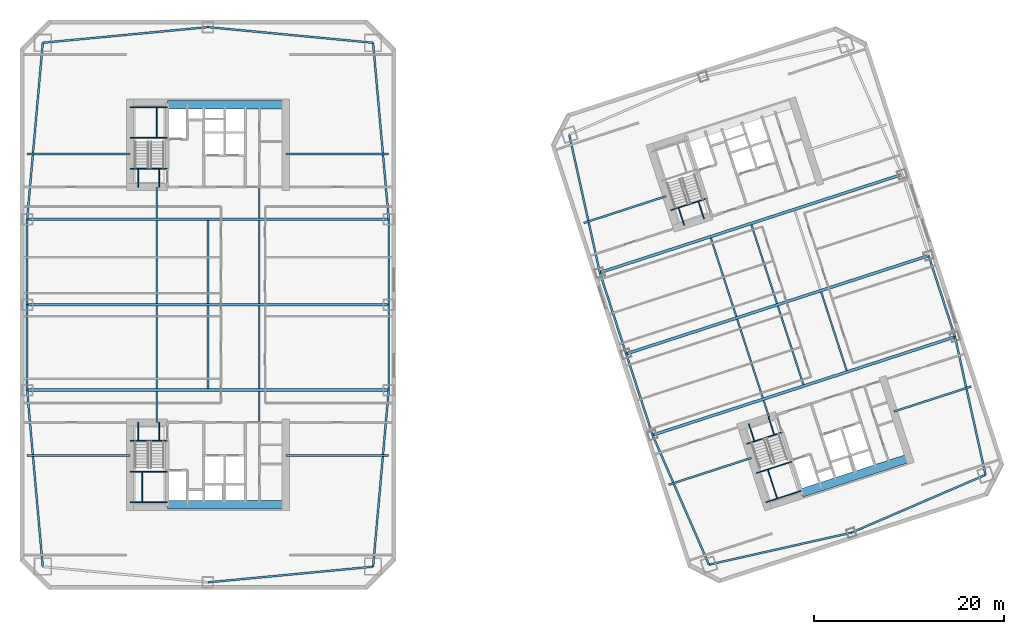
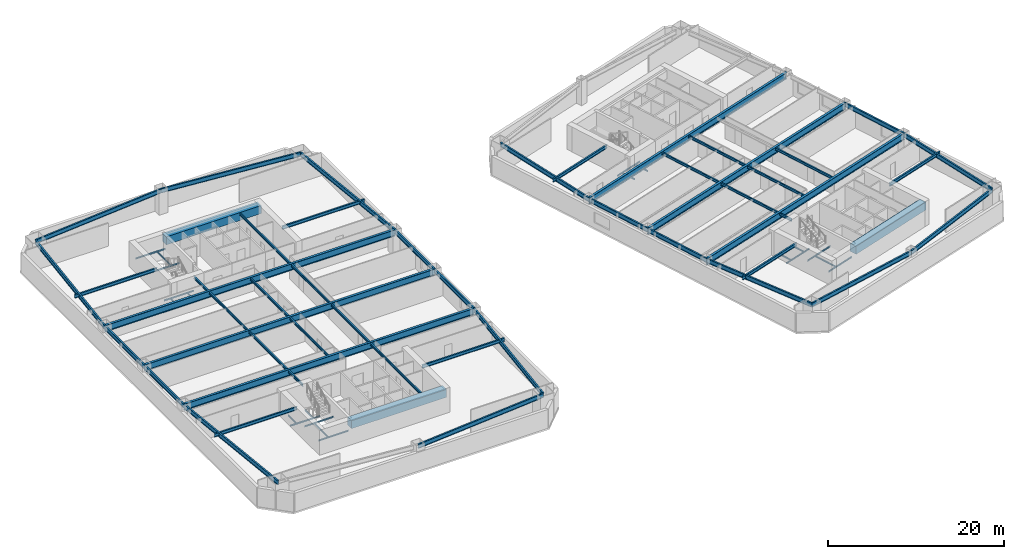
# One storey, part 3 of 13: 72 beams.
"""IFC4 building model written with IfcOpenShell, lengths in metres."""

from ifc_helpers import new_model, si_unit, direction, frame, origin, origin_2d, place, context, subcontext, project, spatial, rectangle, i_section, extrude, material, material_profile, profile_set, type_object, element, save


model = new_model("IFC4")

# Units and contexts
model_context = context("Model", 3, precision=1e-05, world=origin(), true_north=direction((0.0, 1.0)))
body_context = subcontext(model_context, "Body", "Model", "MODEL_VIEW")
ifc_project = project(units=[si_unit("LENGTHUNIT", "METRE"), si_unit("AREAUNIT", "SQUARE_METRE"), si_unit("VOLUMEUNIT", "CUBIC_METRE"), si_unit("PLANEANGLEUNIT", "RADIAN"), si_unit("MASSUNIT", "GRAM", prefix="KILO")], contexts=[model_context])

# Site, building, storey
site_placement = place(None, origin())
site = spatial("IfcSite", under=ifc_project, at=site_placement, CompositionType="ELEMENT")
building_placement = place(site_placement, origin())
building = spatial("IfcBuilding", under=site, at=building_placement, Name="Qiaolan Cultural Towers", CompositionType="ELEMENT")
storey_placement = place(building_placement, frame((0.0, 0.0, 85.10009765625)))
storey = spatial("IfcBuildingStorey", under=building, at=storey_placement, Name="L21", CompositionType="ELEMENT", Elevation=85.10009765625)

# Beams
ifc_material_1 = material(Name="Steel Q355B", Category="steel")
ifc_material_profile_1 = material_profile(ifc_material_1, i_section(OverallWidth=0.300048828125, OverallDepth=0.89990234375, WebThickness=0.01611328125, FlangeThickness=0.028076171875, at=origin_2d()), Name="HN900x300x16x28")
ifc_profile_set_1 = profile_set([ifc_material_profile_1], Name="Steel Q355B")
beam_type_1 = type_object("IfcBeamType", Name="BM-HN900x300x16x28", PredefinedType="BEAM", material=ifc_profile_set_1)
for number, where, z_axis, x_axis, name in (
    (1, (10.949951171875, 25.0, 2.739990234375), (1.0, 0.0, 0.0), (0.0, 1.0, 0.0), "L21 T1 Primary Transverse Girder V1"),
    (2, (10.949951171875, 34.0, 2.739990234375), (1.0, 0.0, 0.0), (0.0, 1.0, 0.0), "L21 T1 Primary Transverse Girder V2"),
    (3, (10.949951171875, 43.0, 2.739990234375), (1.0, 0.0, 0.0), (0.0, 1.0, 0.0), "L21 T1 Primary Transverse Girder V3"),
):
    element("IfcBeam", number, at=place(storey_placement, frame(where, z_axis=z_axis, x_axis=x_axis)), inside=storey, type_object=beam_type_1, Name=name, PredefinedType="BEAM", context=body_context, shape_type="SweptSolid", body=[
        extrude(i_section(OverallWidth=0.300048828125, OverallDepth=0.89990234375, WebThickness=0.01611328125, FlangeThickness=0.028076171875, at=origin_2d()), origin(), (0.0, 0.0, 1.0), 38.10009765625),
    ])
for number, where, z_axis, x_axis, name in (
    (4, (76.85107421875, 20.264404296875, 2.739990234375), (0.951056559899, 0.309016860175, 0.0), (-0.309016860175, 0.951056559899, 0.0), "L21 T2 Primary Transverse Girder V1"),
    (5, (74.06982421875, 28.823974609375, 2.739990234375), (0.951056559899, 0.309016860175, 0.0), (-0.309016860175, 0.951056559899, 0.0), "L21 T2 Primary Transverse Girder V2"),
    (6, (71.28857421875, 37.383544921875, 2.739990234375), (0.951056559899, 0.309016860175, 0.0), (-0.309016860175, 0.951056559899, 0.0), "L21 T2 Primary Transverse Girder V3"),
):
    element("IfcBeam", number, at=place(storey_placement, frame(where, z_axis=z_axis, x_axis=x_axis)), inside=storey, type_object=beam_type_1, Name=name, PredefinedType="BEAM", context=body_context, shape_type="SweptSolid", body=[
        extrude(i_section(OverallWidth=0.300048828125, OverallDepth=0.89990234375, WebThickness=0.01611328125, FlangeThickness=0.028076171875, at=origin_2d()), origin(), (0.0, 0.0, 1.0), 33.5),
    ])
ifc_material_2 = material(Name="Steel Q355B", Category="steel")
ifc_material_profile_2 = material_profile(ifc_material_2, i_section(OverallWidth=0.175048828125, OverallDepth=0.35009765625, WebThickness=0.007080078125, FlangeThickness=0.010986328125, at=origin_2d()), Name="HN350x175x7x11")
ifc_profile_set_2 = profile_set([ifc_material_profile_2], Name="Steel Q355B")
beam_type_2 = type_object("IfcBeamType", Name="BM-JST-HN350x175x7x11", PredefinedType="JOIST", material=ifc_profile_set_2)
beam_1_placement = place(storey_placement, frame((24.60009765625, 21.60009765625, 3.014892578125), z_axis=(0.0, 1.0, 0.0), x_axis=(-1.0, 0.0, 0.0)))
element("IfcBeam", 7, at=beam_1_placement, inside=storey, type_object=beam_type_2, Name="L21 T1 Secondary Floor Joist U1-1", PredefinedType="JOIST", context=body_context, shape_type="SweptSolid", body=[
    extrude(i_section(OverallWidth=0.175048828125, OverallDepth=0.35009765625, WebThickness=0.007080078125, FlangeThickness=0.010986328125, at=origin_2d()), origin(), (0.0, 0.0, 1.0), 3.25),
])
for number, where, z_axis, x_axis, name in (
    (8, (24.60009765625, 25.14990234375, 3.014892578125), (0.0, 1.0, 0.0), (-1.0, 0.0, 0.0), "L21 T1 Secondary Floor Joist U1-2"),
    (9, (24.60009765625, 34.14990234375, 3.014892578125), (0.0, 1.0, 0.0), (-1.0, 0.0, 0.0), "L21 T1 Secondary Floor Joist U1-3"),
):
    element("IfcBeam", number, at=place(storey_placement, frame(where, z_axis=z_axis, x_axis=x_axis)), inside=storey, type_object=beam_type_2, Name=name, PredefinedType="JOIST", context=body_context, shape_type="SweptSolid", body=[
        extrude(i_section(OverallWidth=0.175048828125, OverallDepth=0.35009765625, WebThickness=0.007080078125, FlangeThickness=0.010986328125, at=origin_2d()), origin(), (0.0, 0.0, 1.0), 8.7001953125),
    ])
beam_2_placement = place(storey_placement, frame((24.60009765625, 43.14990234375, 3.014892578125), z_axis=(0.0, 1.0, 0.0), x_axis=(-1.0, 0.0, 0.0)))
element("IfcBeam", 10, at=beam_2_placement, inside=storey, type_object=beam_type_2, Name="L21 T1 Secondary Floor Joist U1-4", PredefinedType="JOIST", context=body_context, shape_type="SweptSolid", body=[
    extrude(i_section(OverallWidth=0.175048828125, OverallDepth=0.35009765625, WebThickness=0.007080078125, FlangeThickness=0.010986328125, at=origin_2d()), origin(), (0.0, 0.0, 1.0), 3.25),
])
for number, where, z_axis, x_axis, name in (
    (11, (30.0, 25.14990234375, 3.014892578125), (0.0, 1.0, 0.0), (-1.0, 0.0, 0.0), "L21 T1 Secondary Floor Joist U2-2"),
    (12, (30.0, 34.14990234375, 3.014892578125), (0.0, 1.0, 0.0), (-1.0, 0.0, 0.0), "L21 T1 Secondary Floor Joist U2-3"),
):
    element("IfcBeam", number, at=place(storey_placement, frame(where, z_axis=z_axis, x_axis=x_axis)), inside=storey, type_object=beam_type_2, Name=name, PredefinedType="JOIST", context=body_context, shape_type="SweptSolid", body=[
        extrude(i_section(OverallWidth=0.175048828125, OverallDepth=0.35009765625, WebThickness=0.007080078125, FlangeThickness=0.010986328125, at=origin_2d()), origin(), (0.0, 0.0, 1.0), 8.7001953125),
    ])
beam_3_placement = place(storey_placement, frame((35.39990234375, 13.39990234375, 3.014892578125), z_axis=(0.0, 1.0, 0.0), x_axis=(-1.0, 0.0, 0.0)))
element("IfcBeam", 13, at=beam_3_placement, inside=storey, type_object=beam_type_2, Name="L21 T1 Secondary Floor Joist U3-1", PredefinedType="JOIST", context=body_context, shape_type="SweptSolid", body=[
    extrude(i_section(OverallWidth=0.175048828125, OverallDepth=0.35009765625, WebThickness=0.007080078125, FlangeThickness=0.010986328125, at=origin_2d()), origin(), (0.0, 0.0, 1.0), 11.4501953125),
])
for number, where, z_axis, x_axis, name in (
    (14, (35.39990234375, 25.14990234375, 3.014892578125), (0.0, 1.0, 0.0), (-1.0, 0.0, 0.0), "L21 T1 Secondary Floor Joist U3-2"),
    (15, (35.39990234375, 34.14990234375, 3.014892578125), (0.0, 1.0, 0.0), (-1.0, 0.0, 0.0), "L21 T1 Secondary Floor Joist U3-3"),
):
    element("IfcBeam", number, at=place(storey_placement, frame(where, z_axis=z_axis, x_axis=x_axis)), inside=storey, type_object=beam_type_2, Name=name, PredefinedType="JOIST", context=body_context, shape_type="SweptSolid", body=[
        extrude(i_section(OverallWidth=0.175048828125, OverallDepth=0.35009765625, WebThickness=0.007080078125, FlangeThickness=0.010986328125, at=origin_2d()), origin(), (0.0, 0.0, 1.0), 8.7001953125),
    ])
beam_4_placement = place(storey_placement, frame((35.39990234375, 43.14990234375, 3.014892578125), z_axis=(0.0, 1.0, 0.0), x_axis=(-1.0, 0.0, 0.0)))
element("IfcBeam", 16, at=beam_4_placement, inside=storey, type_object=beam_type_2, Name="L21 T1 Secondary Floor Joist U3-4", PredefinedType="JOIST", context=body_context, shape_type="SweptSolid", body=[
    extrude(i_section(OverallWidth=0.175048828125, OverallDepth=0.35009765625, WebThickness=0.007080078125, FlangeThickness=0.010986328125, at=origin_2d()), origin(), (0.0, 0.0, 1.0), 11.4501953125),
])
beam_5_placement = place(storey_placement, frame((89.119384765625, 22.147705078125, 3.014892578125), z_axis=(-0.308933885266, 0.951083516067, 0.0), x_axis=(-0.951083516067, -0.308933885266, 0.0)))
element("IfcBeam", 17, at=beam_5_placement, inside=storey, type_object=beam_type_2, Name="L21 T2 Secondary Floor Joist U1-1", PredefinedType="JOIST", context=body_context, shape_type="SweptSolid", body=[
    extrude(i_section(OverallWidth=0.175048828125, OverallDepth=0.35009765625, WebThickness=0.007080078125, FlangeThickness=0.010986328125, at=origin_2d()), origin(), (0.0, 0.0, 1.0), 1.85009765625),
])
for number, where, z_axis, x_axis, name in (
    (18, (88.455078125, 24.192626953125, 3.014892578125), (-0.309020714809, 0.951055307445, 0.0), (-0.951055307445, -0.309020714809, 0.0), "L21 T2 Secondary Floor Joist U1-2"),
    (19, (85.673828125, 32.752197265625, 3.014892578125), (-0.309020714809, 0.951055307445, 0.0), (-0.951055307445, -0.309020714809, 0.0), "L21 T2 Secondary Floor Joist U1-3"),
    (20, (92.73486328125, 25.583251953125, 3.014892578125), (-0.309020714809, 0.951055307445, 0.0), (-0.951055307445, -0.309020714809, 0.0), "L21 T2 Secondary Floor Joist U2-2"),
    (21, (89.95361328125, 34.142578125, 3.014892578125), (-0.309020714809, 0.951055307445, 0.0), (-0.951055307445, -0.309020714809, 0.0), "L21 T2 Secondary Floor Joist U2-3"),
    (22, (97.2998046875, 27.06640625, 3.014892578125), (-0.309020714809, 0.951055307445, 0.0), (-0.951055307445, -0.309020714809, 0.0), "L21 T2 Secondary Floor Joist U3-2"),
):
    element("IfcBeam", number, at=place(storey_placement, frame(where, z_axis=z_axis, x_axis=x_axis)), inside=storey, type_object=beam_type_2, Name=name, PredefinedType="JOIST", context=body_context, shape_type="SweptSolid", body=[
        extrude(i_section(OverallWidth=0.175048828125, OverallDepth=0.35009765625, WebThickness=0.007080078125, FlangeThickness=0.010986328125, at=origin_2d()), origin(), (0.0, 0.0, 1.0), 8.699951171875),
    ])
ifc_material_3 = material(Name="Steel Q355B", Category="steel")
ifc_material_profile_3 = material_profile(ifc_material_3, i_section(OverallWidth=0.199951171875, OverallDepth=0.449951171875, WebThickness=0.009033203125, FlangeThickness=0.013916015625, at=origin_2d()), Name="HN450x200x9x14")
ifc_profile_set_3 = profile_set([ifc_material_profile_3], Name="Steel Q355B")
beam_type_3 = type_object("IfcBeamType", Name="BM-LNT-HN450x200x9x14", PredefinedType="LINTEL", material=ifc_profile_set_3)
for number, where, z_axis, x_axis, name in (
    (23, (21.800048828125, 18.10009765625, 2.96484375), (-1.0, 0.0, 0.0), (0.0, -1.0, 0.0), "L21 T1 Core Flank Tie Lintel WS"),
    (24, (21.800048828125, 49.89990234375, 2.96484375), (-1.0, 0.0, 0.0), (0.0, -1.0, 0.0), "L21 T1 Core Flank Tie Lintel WN"),
    (25, (38.199951171875, 18.10009765625, 2.96484375), (1.0, 0.0, 0.0), (0.0, 1.0, 0.0), "L21 T1 Core Flank Tie Lintel ES"),
    (26, (38.199951171875, 49.89990234375, 2.96484375), (1.0, 0.0, 0.0), (0.0, 1.0, 0.0), "L21 T1 Core Flank Tie Lintel EN"),
):
    element("IfcBeam", number, at=place(storey_placement, frame(where, z_axis=z_axis, x_axis=x_axis)), inside=storey, type_object=beam_type_3, Name=name, PredefinedType="LINTEL", context=body_context, shape_type="SweptSolid", body=[
        extrude(i_section(OverallWidth=0.199951171875, OverallDepth=0.449951171875, WebThickness=0.009033203125, FlangeThickness=0.013916015625, at=origin_2d()), origin(), (0.0, 0.0, 1.0), 10.85009765625),
    ])
for number, where, z_axis, x_axis, name in (
    (27, (87.252685546875, 17.861083984375, 2.96484375), (-0.951059948176, -0.309006431933, 0.0), (0.309006431933, -0.951059948176, 0.0), "L21 T2 Core Flank Tie Lintel WS"),
    (28, (78.291259765625, 45.44189453125, 2.96484375), (-0.951052106475, -0.309030566076, 0.0), (0.309030566076, -0.951052106475, 0.0), "L21 T2 Core Flank Tie Lintel WN"),
):
    element("IfcBeam", number, at=place(storey_placement, frame(where, z_axis=z_axis, x_axis=x_axis)), inside=storey, type_object=beam_type_3, Name=name, PredefinedType="LINTEL", context=body_context, shape_type="SweptSolid", body=[
        extrude(i_section(OverallWidth=0.199951171875, OverallDepth=0.449951171875, WebThickness=0.009033203125, FlangeThickness=0.013916015625, at=origin_2d()), origin(), (0.0, 0.0, 1.0), 9.14990234375),
    ])
beam_6_placement = place(storey_placement, frame((102.279296875, 22.74365234375, 2.96484375), z_axis=(0.951057358187, 0.309014403287, 0.0), x_axis=(-0.309014403287, 0.951057358187, 0.0)))
element("IfcBeam", 29, at=beam_6_placement, inside=storey, type_object=beam_type_3, Name="L21 T2 Core Flank Tie Lintel ES", PredefinedType="LINTEL", context=body_context, shape_type="SweptSolid", body=[
    extrude(i_section(OverallWidth=0.199951171875, OverallDepth=0.449951171875, WebThickness=0.009033203125, FlangeThickness=0.013916015625, at=origin_2d()), origin(), (0.0, 0.0, 1.0), 8.550048828125),
])
ifc_material_4 = material(Name="Concrete C50", Category="concrete")
ifc_material_profile_4 = material_profile(ifc_material_4, rectangle(XDim=0.89990234375, YDim=1.10009765625, at=origin_2d()), Name="RC900x1100")
ifc_profile_set_4 = profile_set([ifc_material_profile_4], Name="Concrete C50")
beam_type_4 = type_object("IfcBeamType", Name="BM-RC900x1100", PredefinedType="BEAM", material=ifc_profile_set_4)
for number, where, z_axis, x_axis, name in (
    (30, (25.719970703125, 12.949951171875, 2.639892578125), (1.0, 0.0, 0.0), (0.0, 1.0, 0.0), "L21 T1 Core Header Girder S"),
    (31, (25.719970703125, 55.050048828125, 2.639892578125), (1.0, 0.0, 0.0), (0.0, 1.0, 0.0), "L21 T1 Core Header Girder N"),
):
    element("IfcBeam", number, at=place(storey_placement, frame(where, z_axis=z_axis, x_axis=x_axis)), inside=storey, type_object=beam_type_4, Name=name, PredefinedType="BEAM", context=body_context, shape_type="SweptSolid", body=[
        extrude(rectangle(XDim=0.89990234375, YDim=1.10009765625, at=origin_2d()), origin(), (0.0, 0.0, 1.0), 12.47998046875),
    ])
beam_7_placement = place(storey_placement, frame((92.572265625, 14.174560546875, 2.639892578125), z_axis=(0.951056266386, 0.309017763514, 0.0), x_axis=(-0.309017763514, 0.951056266386, 0.0)))
element("IfcBeam", 32, at=beam_7_placement, inside=storey, type_object=beam_type_4, Name="L21 T2 Core Header Girder S", PredefinedType="BEAM", context=body_context, shape_type="SweptSolid", body=[
    extrude(rectangle(XDim=0.89990234375, YDim=1.10009765625, at=origin_2d()), origin(), (0.0, 0.0, 1.0), 11.880126953125),
])
ifc_material_5 = material(Name="Steel Q355B", Category="steel")
ifc_material_profile_5 = material_profile(ifc_material_5, i_section(OverallWidth=0.199951171875, OverallDepth=0.60009765625, WebThickness=0.010986328125, FlangeThickness=0.01708984375, at=origin_2d()), Name="HN600x200x11x17")
ifc_profile_set_5 = profile_set([ifc_material_profile_5], Name="Steel Q355B")
beam_type_5 = type_object("IfcBeamType", Name="BM-SPD-HN600x200x11x17", PredefinedType="SPANDREL", material=ifc_profile_set_5)
beam_8_placement = place(storey_placement, frame((30.0, 4.75, 2.889892578125), z_axis=(0.995534437156, 0.094399070104, 0.0), x_axis=(-0.094399070104, 0.995534437156, 0.0)))
element("IfcBeam", 33, at=beam_8_placement, inside=storey, type_object=beam_type_5, Name="L21 T1 Perimeter Spandrel Beam 2", PredefinedType="SPANDREL", context=body_context, shape_type="SweptSolid", body=[
    extrude(i_section(OverallWidth=0.199951171875, OverallDepth=0.60009765625, WebThickness=0.010986328125, FlangeThickness=0.01708984375, at=origin_2d()), origin(), (0.0, 0.0, 1.0), 17.47802734375),
])
beam_9_placement = place(storey_placement, frame((47.39990234375, 6.39990234375, 2.889892578125), z_axis=(0.08837000091, 0.996087718496, 0.0), x_axis=(-0.996087718496, 0.08837000091, 0.0)))
element("IfcBeam", 34, at=beam_9_placement, inside=storey, type_object=beam_type_5, Name="L21 T1 Perimeter Spandrel Beam 3", PredefinedType="SPANDREL", context=body_context, shape_type="SweptSolid", body=[
    extrude(i_section(OverallWidth=0.199951171875, OverallDepth=0.60009765625, WebThickness=0.010986328125, FlangeThickness=0.01708984375, at=origin_2d()), origin(), (0.0, 0.0, 1.0), 18.673095703125),
])
for number, where, z_axis, x_axis, name in (
    (35, (49.050048828125, 25.0, 2.889892578125), (0.0, 1.0, 0.0), (-1.0, 0.0, 0.0), "L21 T1 Perimeter Spandrel Beam 4"),
    (36, (49.050048828125, 34.0, 2.889892578125), (0.0, 1.0, 0.0), (-1.0, 0.0, 0.0), "L21 T1 Perimeter Spandrel Beam 5"),
):
    element("IfcBeam", number, at=place(storey_placement, frame(where, z_axis=z_axis, x_axis=x_axis)), inside=storey, type_object=beam_type_5, Name=name, PredefinedType="SPANDREL", context=body_context, shape_type="SweptSolid", body=[
        extrude(i_section(OverallWidth=0.199951171875, OverallDepth=0.60009765625, WebThickness=0.010986328125, FlangeThickness=0.01708984375, at=origin_2d()), origin(), (0.0, 0.0, 1.0), 9.0),
    ])
beam_10_placement = place(storey_placement, frame((49.050048828125, 43.0, 2.889892578125), z_axis=(-0.08837000091, 0.996087718496, 0.0), x_axis=(-0.996087718496, -0.08837000091, 0.0)))
element("IfcBeam", 37, at=beam_10_placement, inside=storey, type_object=beam_type_5, Name="L21 T1 Perimeter Spandrel Beam 6", PredefinedType="SPANDREL", context=body_context, shape_type="SweptSolid", body=[
    extrude(i_section(OverallWidth=0.199951171875, OverallDepth=0.60009765625, WebThickness=0.010986328125, FlangeThickness=0.01708984375, at=origin_2d()), origin(), (0.0, 0.0, 1.0), 18.673095703125),
])
for number, where, z_axis, x_axis, name in (
    (38, (47.39990234375, 61.60009765625, 2.889892578125), (-0.995534437156, 0.094399070104, 0.0), (-0.094399070104, -0.995534437156, 0.0), "L21 T1 Perimeter Spandrel Beam 7"),
    (39, (30.0, 63.25, 2.889892578125), (-0.995534437156, -0.094399070104, 0.0), (0.094399070104, -0.995534437156, 0.0), "L21 T1 Perimeter Spandrel Beam 8"),
):
    element("IfcBeam", number, at=place(storey_placement, frame(where, z_axis=z_axis, x_axis=x_axis)), inside=storey, type_object=beam_type_5, Name=name, PredefinedType="SPANDREL", context=body_context, shape_type="SweptSolid", body=[
        extrude(i_section(OverallWidth=0.199951171875, OverallDepth=0.60009765625, WebThickness=0.010986328125, FlangeThickness=0.01708984375, at=origin_2d()), origin(), (0.0, 0.0, 1.0), 17.47802734375),
    ])
beam_11_placement = place(storey_placement, frame((12.60009765625, 61.60009765625, 2.889892578125), z_axis=(-0.08837000091, -0.996087718496, 0.0), x_axis=(0.996087718496, -0.08837000091, 0.0)))
element("IfcBeam", 40, at=beam_11_placement, inside=storey, type_object=beam_type_5, Name="L21 T1 Perimeter Spandrel Beam 9", PredefinedType="SPANDREL", context=body_context, shape_type="SweptSolid", body=[
    extrude(i_section(OverallWidth=0.199951171875, OverallDepth=0.60009765625, WebThickness=0.010986328125, FlangeThickness=0.01708984375, at=origin_2d()), origin(), (0.0, 0.0, 1.0), 18.673095703125),
])
for number, where, z_axis, x_axis, name in (
    (41, (10.949951171875, 43.0, 2.889892578125), (0.0, -1.0, 0.0), (1.0, 0.0, 0.0), "L21 T1 Perimeter Spandrel Beam 10"),
    (42, (10.949951171875, 34.0, 2.889892578125), (0.0, -1.0, 0.0), (1.0, 0.0, 0.0), "L21 T1 Perimeter Spandrel Beam 11"),
):
    element("IfcBeam", number, at=place(storey_placement, frame(where, z_axis=z_axis, x_axis=x_axis)), inside=storey, type_object=beam_type_5, Name=name, PredefinedType="SPANDREL", context=body_context, shape_type="SweptSolid", body=[
        extrude(i_section(OverallWidth=0.199951171875, OverallDepth=0.60009765625, WebThickness=0.010986328125, FlangeThickness=0.01708984375, at=origin_2d()), origin(), (0.0, 0.0, 1.0), 9.0),
    ])
beam_12_placement = place(storey_placement, frame((10.949951171875, 25.0, 2.889892578125), z_axis=(0.08837000091, -0.996087718496, 0.0), x_axis=(0.996087718496, 0.08837000091, 0.0)))
element("IfcBeam", 43, at=beam_12_placement, inside=storey, type_object=beam_type_5, Name="L21 T1 Perimeter Spandrel Beam 12", PredefinedType="SPANDREL", context=body_context, shape_type="SweptSolid", body=[
    extrude(i_section(OverallWidth=0.199951171875, OverallDepth=0.60009765625, WebThickness=0.010986328125, FlangeThickness=0.01708984375, at=origin_2d()), origin(), (0.0, 0.0, 1.0), 18.673095703125),
])
beam_13_placement = place(storey_placement, frame((82.79052734375, 6.611572265625, 2.889892578125), z_axis=(0.975658154374, 0.219296980836, 0.0), x_axis=(-0.219296980836, 0.975658154374, 0.0)))
element("IfcBeam", 44, at=beam_13_placement, inside=storey, type_object=beam_type_5, Name="L21 T2 Perimeter Spandrel Beam 1", PredefinedType="SPANDREL", context=body_context, shape_type="SweptSolid", body=[
    extrude(i_section(OverallWidth=0.199951171875, OverallDepth=0.60009765625, WebThickness=0.010986328125, FlangeThickness=0.01708984375, at=origin_2d()), origin(), (0.0, 0.0, 1.0), 15.38671875),
])
beam_14_placement = place(storey_placement, frame((97.802734375, 9.98583984375, 2.889892578125), z_axis=(0.918217549337, 0.396076422032, 0.0), x_axis=(-0.396076422032, 0.918217549337, 0.0)))
element("IfcBeam", 45, at=beam_14_placement, inside=storey, type_object=beam_type_5, Name="L21 T2 Perimeter Spandrel Beam 2", PredefinedType="SPANDREL", context=body_context, shape_type="SweptSolid", body=[
    extrude(i_section(OverallWidth=0.199951171875, OverallDepth=0.60009765625, WebThickness=0.010986328125, FlangeThickness=0.01708984375, at=origin_2d()), origin(), (0.0, 0.0, 1.0), 15.386474609375),
])
beam_15_placement = place(storey_placement, frame((111.930908203125, 16.080078125, 2.889892578125), z_axis=(-0.216237644833, 0.976340760676, 0.0), x_axis=(-0.976340760676, -0.216237644833, 0.0)))
element("IfcBeam", 46, at=beam_15_placement, inside=storey, type_object=beam_type_5, Name="L21 T2 Perimeter Spandrel Beam 3", PredefinedType="SPANDREL", context=body_context, shape_type="SweptSolid", body=[
    extrude(i_section(OverallWidth=0.199951171875, OverallDepth=0.60009765625, WebThickness=0.010986328125, FlangeThickness=0.01708984375, at=origin_2d()), origin(), (0.0, 0.0, 1.0), 14.888671875),
])
beam_16_placement = place(storey_placement, frame((108.71142578125, 30.616455078125, 2.889892578125), z_axis=(-0.309024734286, 0.951054001411, 0.0), x_axis=(-0.951054001411, -0.309024734286, 0.0)))
element("IfcBeam", 47, at=beam_16_placement, inside=storey, type_object=beam_type_5, Name="L21 T2 Perimeter Spandrel Beam 4", PredefinedType="SPANDREL", context=body_context, shape_type="SweptSolid", body=[
    extrude(i_section(OverallWidth=0.199951171875, OverallDepth=0.60009765625, WebThickness=0.010986328125, FlangeThickness=0.01708984375, at=origin_2d()), origin(), (0.0, 0.0, 1.0), 9.0),
])
beam_17_placement = place(storey_placement, frame((68.069091796875, 51.919921875, 2.889892578125), z_axis=(0.216237644833, -0.976340760676, 0.0), x_axis=(0.976340760676, 0.216237644833, 0.0)))
element("IfcBeam", 48, at=beam_17_placement, inside=storey, type_object=beam_type_5, Name="L21 T2 Perimeter Spandrel Beam 9", PredefinedType="SPANDREL", context=body_context, shape_type="SweptSolid", body=[
    extrude(i_section(OverallWidth=0.199951171875, OverallDepth=0.60009765625, WebThickness=0.010986328125, FlangeThickness=0.01708984375, at=origin_2d()), origin(), (0.0, 0.0, 1.0), 14.888671875),
])
for number, where, z_axis, x_axis, name in (
    (49, (71.28857421875, 37.383544921875, 2.889892578125), (0.309024734286, -0.951054001411, 0.0), (0.951054001411, 0.309024734286, 0.0), "L21 T2 Perimeter Spandrel Beam 10"),
    (50, (74.06982421875, 28.823974609375, 2.889892578125), (0.309024734286, -0.951054001411, 0.0), (0.951054001411, 0.309024734286, 0.0), "L21 T2 Perimeter Spandrel Beam 11"),
):
    element("IfcBeam", number, at=place(storey_placement, frame(where, z_axis=z_axis, x_axis=x_axis)), inside=storey, type_object=beam_type_5, Name=name, PredefinedType="SPANDREL", context=body_context, shape_type="SweptSolid", body=[
        extrude(i_section(OverallWidth=0.199951171875, OverallDepth=0.60009765625, WebThickness=0.010986328125, FlangeThickness=0.01708984375, at=origin_2d()), origin(), (0.0, 0.0, 1.0), 9.0),
    ])
beam_18_placement = place(storey_placement, frame((76.85107421875, 20.264404296875, 2.889892578125), z_axis=(0.398920370799, -0.916985571185, 0.0), x_axis=(0.916985571185, 0.398920370799, 0.0)))
element("IfcBeam", 51, at=beam_18_placement, inside=storey, type_object=beam_type_5, Name="L21 T2 Perimeter Spandrel Beam 12", PredefinedType="SPANDREL", context=body_context, shape_type="SweptSolid", body=[
    extrude(i_section(OverallWidth=0.199951171875, OverallDepth=0.60009765625, WebThickness=0.010986328125, FlangeThickness=0.01708984375, at=origin_2d()), origin(), (0.0, 0.0, 1.0), 14.888916015625),
])
ifc_material_6 = material(Name="Steel Q355B", Category="steel")
ifc_material_profile_6 = material_profile(ifc_material_6, i_section(OverallWidth=0.10009765625, OverallDepth=0.199951171875, WebThickness=0.005615234375, FlangeThickness=0.008056640625, at=origin_2d()), Name="HN200x100x5.5x8")
ifc_profile_set_6 = profile_set([ifc_material_profile_6], Name="Steel Q355B")
beam_type_6 = type_object("IfcBeamType", Name="BM-STTRIM-200", PredefinedType="BEAM", material=ifc_profile_set_6)
beam_19_placement = place(storey_placement, frame((21.800048828125, 19.659912109375, -0.460205078125), z_axis=(1.0, 0.0, 0.0), x_axis=(0.0, 1.0, 0.0)))
element("IfcBeam", 52, at=beam_19_placement, inside=storey, type_object=beam_type_6, Name="L21 ST-W1 Floor Landing Header Beam", PredefinedType="BEAM", context=body_context, shape_type="SweptSolid", body=[
    extrude(i_section(OverallWidth=0.10009765625, OverallDepth=0.199951171875, WebThickness=0.005615234375, FlangeThickness=0.008056640625, at=origin_2d()), origin(), (0.0, 0.0, 1.0), 3.919921875),
])
for number, where, z_axis, x_axis, name in (
    (53, (22.64990234375, 21.60009765625, -0.460205078125), (0.0, -1.0, 0.0), (1.0, 0.0, 0.0), "L21 ST-W1 Floor Landing Stringer 1"),
    (54, (24.85009765625, 21.60009765625, -0.460205078125), (0.0, -1.0, 0.0), (1.0, 0.0, 0.0), "L21 ST-W1 Floor Landing Stringer 2"),
):
    element("IfcBeam", number, at=place(storey_placement, frame(where, z_axis=z_axis, x_axis=x_axis)), inside=storey, type_object=beam_type_6, Name=name, PredefinedType="BEAM", context=body_context, shape_type="SweptSolid", body=[
        extrude(i_section(OverallWidth=0.10009765625, OverallDepth=0.199951171875, WebThickness=0.005615234375, FlangeThickness=0.008056640625, at=origin_2d()), origin(), (0.0, 0.0, 1.0), 1.940185546875),
    ])
for number, where, z_axis, x_axis, name in (
    (55, (21.800048828125, 16.411376953125, 1.4248046875), (1.0, 0.0, 0.0), (0.0, 1.0, 0.0), "L21 ST-W1 Stair Landing Support Beam 1-1"),
    (56, (21.800048828125, 13.179931640625, 1.4248046875), (1.0, 0.0, 0.0), (0.0, 1.0, 0.0), "L21 ST-W1 Stair Landing Support Beam 1-2"),
):
    element("IfcBeam", number, at=place(storey_placement, frame(where, z_axis=z_axis, x_axis=x_axis)), inside=storey, type_object=beam_type_6, Name=name, PredefinedType="BEAM", context=body_context, shape_type="SweptSolid", body=[
        extrude(i_section(OverallWidth=0.10009765625, OverallDepth=0.199951171875, WebThickness=0.005615234375, FlangeThickness=0.008056640625, at=origin_2d()), origin(), (0.0, 0.0, 1.0), 3.919921875),
    ])
beam_20_placement = place(storey_placement, frame((23.070068359375, 16.411376953125, 1.4248046875), z_axis=(0.0, -1.0, 0.0), x_axis=(1.0, 0.0, 0.0)))
element("IfcBeam", 57, at=beam_20_placement, inside=storey, type_object=beam_type_6, Name="L21 ST-W1 Stair Landing Trimmer 1", PredefinedType="BEAM", context=body_context, shape_type="SweptSolid", body=[
    extrude(i_section(OverallWidth=0.10009765625, OverallDepth=0.199951171875, WebThickness=0.005615234375, FlangeThickness=0.008056640625, at=origin_2d()), origin(), (0.0, 0.0, 1.0), 3.2314453125),
])
beam_21_placement = place(storey_placement, frame((21.800048828125, 48.340087890625, -0.460205078125), z_axis=(1.0, 0.0, 0.0), x_axis=(0.0, 1.0, 0.0)))
element("IfcBeam", 58, at=beam_21_placement, inside=storey, type_object=beam_type_6, Name="L21 ST-W2 Floor Landing Header Beam", PredefinedType="BEAM", context=body_context, shape_type="SweptSolid", body=[
    extrude(i_section(OverallWidth=0.10009765625, OverallDepth=0.199951171875, WebThickness=0.005615234375, FlangeThickness=0.008056640625, at=origin_2d()), origin(), (0.0, 0.0, 1.0), 3.919921875),
])
for number, where, z_axis, x_axis, name in (
    (59, (22.64990234375, 46.39990234375, -0.460205078125), (0.0, 1.0, 0.0), (-1.0, 0.0, 0.0), "L21 ST-W2 Floor Landing Stringer 1"),
    (60, (24.85009765625, 46.39990234375, -0.460205078125), (0.0, 1.0, 0.0), (-1.0, 0.0, 0.0), "L21 ST-W2 Floor Landing Stringer 2"),
):
    element("IfcBeam", number, at=place(storey_placement, frame(where, z_axis=z_axis, x_axis=x_axis)), inside=storey, type_object=beam_type_6, Name=name, PredefinedType="BEAM", context=body_context, shape_type="SweptSolid", body=[
        extrude(i_section(OverallWidth=0.10009765625, OverallDepth=0.199951171875, WebThickness=0.005615234375, FlangeThickness=0.008056640625, at=origin_2d()), origin(), (0.0, 0.0, 1.0), 1.940185546875),
    ])
for number, where, z_axis, x_axis, name in (
    (61, (21.800048828125, 51.588623046875, 1.4248046875), (1.0, 0.0, 0.0), (0.0, 1.0, 0.0), "L21 ST-W2 Stair Landing Support Beam 1-1"),
    (62, (21.800048828125, 54.820068359375, 1.4248046875), (1.0, 0.0, 0.0), (0.0, 1.0, 0.0), "L21 ST-W2 Stair Landing Support Beam 1-2"),
):
    element("IfcBeam", number, at=place(storey_placement, frame(where, z_axis=z_axis, x_axis=x_axis)), inside=storey, type_object=beam_type_6, Name=name, PredefinedType="BEAM", context=body_context, shape_type="SweptSolid", body=[
        extrude(i_section(OverallWidth=0.10009765625, OverallDepth=0.199951171875, WebThickness=0.005615234375, FlangeThickness=0.008056640625, at=origin_2d()), origin(), (0.0, 0.0, 1.0), 3.919921875),
    ])
beam_22_placement = place(storey_placement, frame((24.610107421875, 51.588623046875, 1.4248046875), z_axis=(0.0, 1.0, 0.0), x_axis=(-1.0, 0.0, 0.0)))
element("IfcBeam", 63, at=beam_22_placement, inside=storey, type_object=beam_type_6, Name="L21 ST-W2 Stair Landing Trimmer 1", PredefinedType="BEAM", context=body_context, shape_type="SweptSolid", body=[
    extrude(i_section(OverallWidth=0.10009765625, OverallDepth=0.199951171875, WebThickness=0.005615234375, FlangeThickness=0.008056640625, at=origin_2d()), origin(), (0.0, 0.0, 1.0), 3.2314453125),
])
beam_23_placement = place(storey_placement, frame((86.770751953125, 19.3447265625, -0.460205078125), z_axis=(0.951047798727, 0.309043823005, 0.0), x_axis=(-0.309043823005, 0.951047798727, 0.0)))
element("IfcBeam", 64, at=beam_23_placement, inside=storey, type_object=beam_type_6, Name="L21 ST-E1 Floor Landing Header Beam", PredefinedType="BEAM", context=body_context, shape_type="SweptSolid", body=[
    extrude(i_section(OverallWidth=0.10009765625, OverallDepth=0.199951171875, WebThickness=0.005615234375, FlangeThickness=0.008056640625, at=origin_2d()), origin(), (0.0, 0.0, 1.0), 3.919921875),
])
for number, where, z_axis, x_axis, name in (
    (65, (86.9794921875, 21.452392578125, -0.460205078125), (0.309083226701, -0.951034993558, 0.0), (0.951034993558, 0.309083226701, 0.0), "L21 ST-E1 Floor Landing Stringer 1"),
    (66, (89.07177734375, 22.13232421875, -0.460205078125), (0.309083226701, -0.951034993558, 0.0), (0.951034993558, 0.309083226701, 0.0), "L21 ST-E1 Floor Landing Stringer 2"),
):
    element("IfcBeam", number, at=place(storey_placement, frame(where, z_axis=z_axis, x_axis=x_axis)), inside=storey, type_object=beam_type_6, Name=name, PredefinedType="BEAM", context=body_context, shape_type="SweptSolid", body=[
        extrude(i_section(OverallWidth=0.10009765625, OverallDepth=0.199951171875, WebThickness=0.005615234375, FlangeThickness=0.008056640625, at=origin_2d()), origin(), (0.0, 0.0, 1.0), 1.93994140625),
    ])
for number, where, z_axis, x_axis, name in (
    (67, (87.774658203125, 16.255126953125, 1.4248046875), (0.951047798727, 0.309043823005, 0.0), (-0.309043823005, 0.951047798727, 0.0), "L21 ST-E1 Stair Landing Support Beam 1-1"),
    (68, (88.773193359375, 13.181884765625, 1.4248046875), (0.951047798727, 0.309043823005, 0.0), (-0.309043823005, 0.951047798727, 0.0), "L21 ST-E1 Stair Landing Support Beam 1-2"),
):
    element("IfcBeam", number, at=place(storey_placement, frame(where, z_axis=z_axis, x_axis=x_axis)), inside=storey, type_object=beam_type_6, Name=name, PredefinedType="BEAM", context=body_context, shape_type="SweptSolid", body=[
        extrude(i_section(OverallWidth=0.10009765625, OverallDepth=0.199951171875, WebThickness=0.005615234375, FlangeThickness=0.008056640625, at=origin_2d()), origin(), (0.0, 0.0, 1.0), 3.919921875),
    ])
beam_24_placement = place(storey_placement, frame((88.982421875, 16.6474609375, 1.4248046875), z_axis=(0.309033108495, -0.951051280349, 0.0), x_axis=(0.951051280349, 0.309033108495, 0.0)))
element("IfcBeam", 69, at=beam_24_placement, inside=storey, type_object=beam_type_6, Name="L21 ST-E1 Stair Landing Trimmer 1", PredefinedType="BEAM", context=body_context, shape_type="SweptSolid", body=[
    extrude(i_section(OverallWidth=0.10009765625, OverallDepth=0.199951171875, WebThickness=0.005615234375, FlangeThickness=0.008056640625, at=origin_2d()), origin(), (0.0, 0.0, 1.0), 3.231201171875),
])
beam_25_placement = place(storey_placement, frame((78.773193359375, 43.958251953125, -0.460205078125), z_axis=(0.951072048947, 0.3089691857, 0.0), x_axis=(-0.3089691857, 0.951072048947, 0.0)))
element("IfcBeam", 70, at=beam_25_placement, inside=storey, type_object=beam_type_6, Name="L21 ST-E2 Floor Landing Header Beam", PredefinedType="BEAM", context=body_context, shape_type="SweptSolid", body=[
    extrude(i_section(OverallWidth=0.10009765625, OverallDepth=0.199951171875, WebThickness=0.005615234375, FlangeThickness=0.008056640625, at=origin_2d()), origin(), (0.0, 0.0, 1.0), 3.920166015625),
])
for number, where, z_axis, x_axis, name in (
    (71, (80.18115234375, 42.375732421875, -0.460205078125), (-0.308969394428, 0.951071981138, 0.0), (-0.951071981138, -0.308969394428, 0.0), "L21 ST-E2 Floor Landing Stringer 1"),
    (72, (82.2734375, 43.0556640625, -0.460205078125), (-0.308969394428, 0.951071981138, 0.0), (-0.951071981138, -0.308969394428, 0.0), "L21 ST-E2 Floor Landing Stringer 2"),
):
    element("IfcBeam", number, at=place(storey_placement, frame(where, z_axis=z_axis, x_axis=x_axis)), inside=storey, type_object=beam_type_6, Name=name, PredefinedType="BEAM", context=body_context, shape_type="SweptSolid", body=[
        extrude(i_section(OverallWidth=0.10009765625, OverallDepth=0.199951171875, WebThickness=0.005615234375, FlangeThickness=0.008056640625, at=origin_2d()), origin(), (0.0, 0.0, 1.0), 1.93994140625),
    ])

save(model, "model.ifc")
